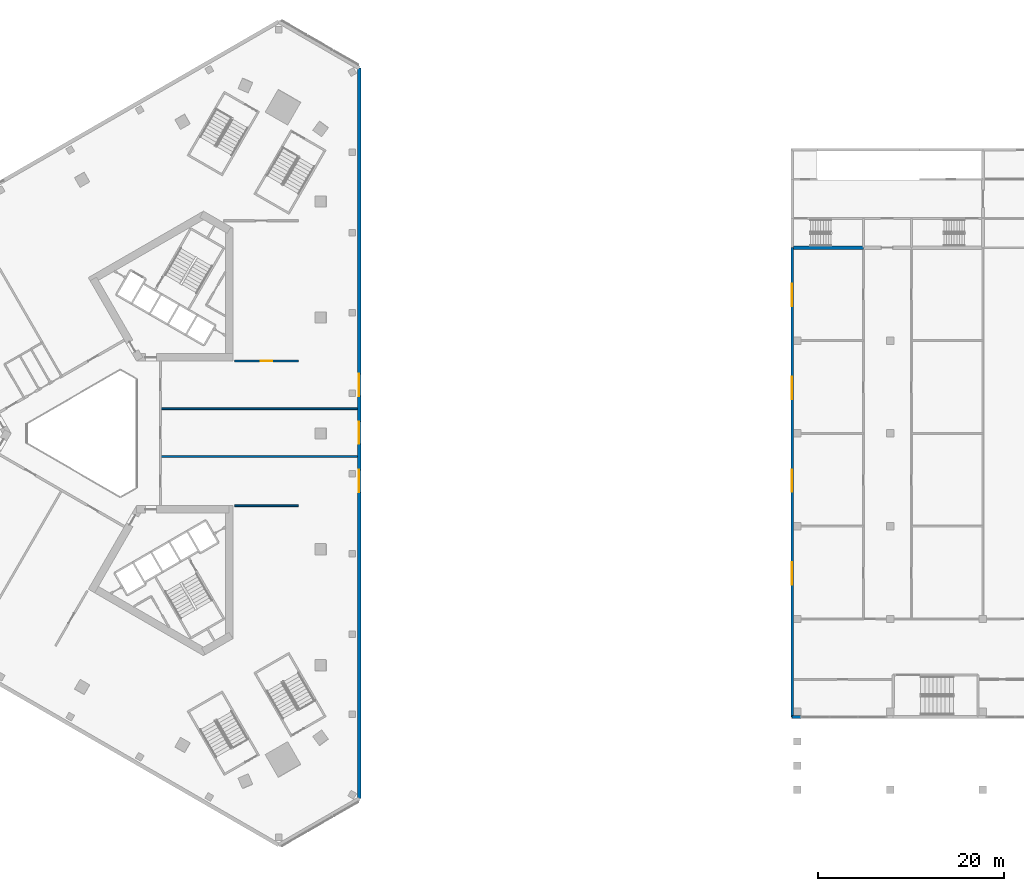
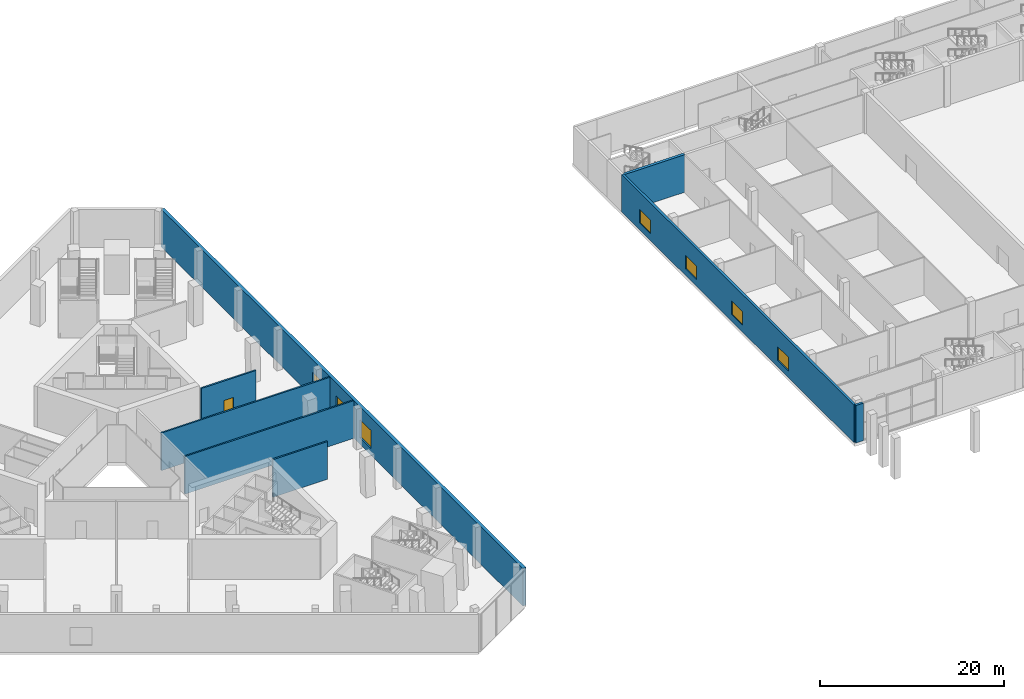
# One storey, part 11 of 35: 8 walls, 7 windows, 1 door, 8 openings.
"""IFC4 building model written with IfcOpenShell, lengths in metres."""

from ifc_helpers import new_model, si_unit, direction, frame, frame_2d, origin, place, context, subcontext, project, spatial, rectangle, extrude, material, layer, layer_set, type_object, element, fill, save


model = new_model("IFC4")

# Units and contexts
model_context = context("Model", 3, precision=1e-05, world=origin(), true_north=direction((0.0, 1.0)))
body_context = subcontext(model_context, "Body", "Model", "MODEL_VIEW")
ifc_project = project(units=[si_unit("LENGTHUNIT", "METRE"), si_unit("AREAUNIT", "SQUARE_METRE"), si_unit("VOLUMEUNIT", "CUBIC_METRE"), si_unit("PLANEANGLEUNIT", "RADIAN"), si_unit("MASSUNIT", "GRAM", prefix="KILO")], contexts=[model_context])

# Site, building, storey
site_placement = place(None, origin())
site = spatial("IfcSite", under=ifc_project, at=site_placement, CompositionType="ELEMENT")
building_placement = place(site_placement, origin())
building = spatial("IfcBuilding", under=site, at=building_placement, Name="Jabali Bay Hotel Tower and Convention Centre", CompositionType="ELEMENT")
storey_placement = place(building_placement, frame((0.0, 0.0, 15.0)))
storey = spatial("IfcBuildingStorey", under=building, at=storey_placement, Name="L02", CompositionType="ELEMENT", Elevation=15.0)

# Wall
ifc_material_1 = material(Name="Concrete C60", Category="concrete")
ifc_layer_1 = layer(ifc_material_1, 0.35009765625)
ifc_layer_set_1 = layer_set([ifc_layer_1], Name="Concrete C60")
wall_type_1 = type_object("IfcWallType", Name="CC Core Wall 350", PredefinedType="SHEAR", material=ifc_layer_set_1)
wall_1_placement = place(storey_placement, frame((150.300048828125, 100.0, 0.0), z_axis=(0.0, 0.0, 1.0), x_axis=(1.0, 0.0, 0.0)))
element("IfcWall", 1, at=wall_1_placement, inside=storey, type_object=wall_type_1, Name="CC west core wall", PredefinedType="SHEAR", context=body_context, shape_type="SweptSolid", body=[
    extrude(rectangle(XDim=7.52490234375, YDim=0.35009765625, at=frame_2d((3.762451171875, 0.0))), origin(), (0.0, 0.0, 1.0), 4.989990234375),
])

# Wall, openings, windows
ifc_material_2 = material(Name="Concrete C40", Category="concrete")
ifc_layer_2 = layer(ifc_material_2, 0.300048828125)
ifc_layer_set_2 = layer_set([ifc_layer_2], Name="Concrete C40")
wall_type_2 = type_object("IfcWallType", Name="CC External Wall 300", PredefinedType="SOLIDWALL", material=ifc_layer_set_2)
wall_2_placement = place(storey_placement, frame((150.14990234375, 49.449951171875, 0.0), z_axis=(0.0, 0.0, 1.0), x_axis=(0.0, 1.0, 0.0)))
wall_2 = element("IfcWall", 2, at=wall_2_placement, inside=storey, type_object=wall_type_2, Name="CC wall 288", PredefinedType="SOLIDWALL", context=body_context, shape_type="SweptSolid", body=[
    extrude(rectangle(XDim=50.550048828125, YDim=0.300048828125, at=frame_2d((25.27490234375, 0.0))), origin(), (0.0, 0.0, 1.0), 4.989990234375),
])
opening_1_placement = place(wall_2_placement, frame((14.25, 0.0, 0.89990234375)))
opening_1 = element("IfcOpeningElement", 3, at=opening_1_placement, cuts=wall_2, Name="Opening CC-W015", PredefinedType="OPENING", context=body_context, shape_type="SweptSolid", body=[
    extrude(rectangle(XDim=2.39990234375, YDim=1.800048828125, at=frame_2d((1.199951171875, 0.89990234375))), frame((0.0, 0.16064453125, 0.0), z_axis=(0.0, -1.0, 0.0), x_axis=(1.0, 0.0, 0.0)), (0.0, 0.0, 1.0), 0.321044921875),
])
opening_2_placement = place(wall_2_placement, frame((24.25, 0.0, 0.89990234375)))
opening_2 = element("IfcOpeningElement", 4, at=opening_2_placement, cuts=wall_2, Name="Opening CC-W016", PredefinedType="OPENING", context=body_context, shape_type="SweptSolid", body=[
    extrude(rectangle(XDim=2.39990234375, YDim=1.800048828125, at=frame_2d((1.199951171875, 0.89990234375))), frame((0.0, 0.16064453125, 0.0), z_axis=(0.0, -1.0, 0.0), x_axis=(1.0, 0.0, 0.0)), (0.0, 0.0, 1.0), 0.321044921875),
])
opening_3_placement = place(wall_2_placement, frame((34.25, 0.0, 0.89990234375)))
opening_3 = element("IfcOpeningElement", 5, at=opening_3_placement, cuts=wall_2, Name="Opening CC-W017", PredefinedType="OPENING", context=body_context, shape_type="SweptSolid", body=[
    extrude(rectangle(XDim=2.39990234375, YDim=1.800048828125, at=frame_2d((1.199951171875, 0.89990234375))), frame((0.0, 0.16064453125, 0.0), z_axis=(0.0, -1.0, 0.0), x_axis=(1.0, 0.0, 0.0)), (0.0, 0.0, 1.0), 0.321044921875),
])
opening_4_placement = place(wall_2_placement, frame((44.25, 0.0, 0.89990234375)))
opening_4 = element("IfcOpeningElement", 6, at=opening_4_placement, cuts=wall_2, Name="Opening CC-W018", PredefinedType="OPENING", context=body_context, shape_type="SweptSolid", body=[
    extrude(rectangle(XDim=2.39990234375, YDim=1.800048828125, at=frame_2d((1.199951171875, 0.89990234375))), frame((0.0, 0.16064453125, 0.0), z_axis=(0.0, -1.0, 0.0), x_axis=(1.0, 0.0, 0.0)), (0.0, 0.0, 1.0), 0.321044921875),
])
ifc_material_3 = material(Name="Aluminium 6063-T5 and glass", Category="aluminium")
window_type_1 = type_object("IfcWindowType", Name="CC Window 2400x1800", PartitioningType="DOUBLE_PANEL_VERTICAL", PredefinedType="WINDOW", material=ifc_material_3)
window_1_placement = place(opening_1_placement, origin())
window_1 = element("IfcWindow", 7, at=window_1_placement, inside=storey, type_object=window_type_1, Name="CC window CC-W015", OverallHeight=1.800048828125, OverallWidth=2.39990234375, PartitioningType="DOUBLE_PANEL_VERTICAL", PredefinedType="WINDOW", context=body_context, shape_type="SweptSolid", body=[
    extrude(rectangle(XDim=2.39990234375, YDim=1.800048828125, at=frame_2d((1.199951171875, 0.89990234375))), frame((0.0, 0.030029296875, 0.0), z_axis=(0.0, -1.0, 0.0), x_axis=(1.0, 0.0, 0.0)), (0.0, 0.0, 1.0), 0.06005859375),
])
fill(opening_1, window_1)
window_2_placement = place(opening_2_placement, origin())
window_2 = element("IfcWindow", 8, at=window_2_placement, inside=storey, type_object=window_type_1, Name="CC window CC-W016", OverallHeight=1.800048828125, OverallWidth=2.39990234375, PartitioningType="DOUBLE_PANEL_VERTICAL", PredefinedType="WINDOW", context=body_context, shape_type="SweptSolid", body=[
    extrude(rectangle(XDim=2.39990234375, YDim=1.800048828125, at=frame_2d((1.199951171875, 0.89990234375))), frame((0.0, 0.030029296875, 0.0), z_axis=(0.0, -1.0, 0.0), x_axis=(1.0, 0.0, 0.0)), (0.0, 0.0, 1.0), 0.06005859375),
])
fill(opening_2, window_2)
window_3_placement = place(opening_3_placement, origin())
window_3 = element("IfcWindow", 9, at=window_3_placement, inside=storey, type_object=window_type_1, Name="CC window CC-W017", OverallHeight=1.800048828125, OverallWidth=2.39990234375, PartitioningType="DOUBLE_PANEL_VERTICAL", PredefinedType="WINDOW", context=body_context, shape_type="SweptSolid", body=[
    extrude(rectangle(XDim=2.39990234375, YDim=1.800048828125, at=frame_2d((1.199951171875, 0.89990234375))), frame((0.0, 0.030029296875, 0.0), z_axis=(0.0, -1.0, 0.0), x_axis=(1.0, 0.0, 0.0)), (0.0, 0.0, 1.0), 0.06005859375),
])
fill(opening_3, window_3)
window_4_placement = place(opening_4_placement, origin())
window_4 = element("IfcWindow", 10, at=window_4_placement, inside=storey, type_object=window_type_1, Name="CC window CC-W018", OverallHeight=1.800048828125, OverallWidth=2.39990234375, PartitioningType="DOUBLE_PANEL_VERTICAL", PredefinedType="WINDOW", context=body_context, shape_type="SweptSolid", body=[
    extrude(rectangle(XDim=2.39990234375, YDim=1.800048828125, at=frame_2d((1.199951171875, 0.89990234375))), frame((0.0, 0.030029296875, 0.0), z_axis=(0.0, -1.0, 0.0), x_axis=(1.0, 0.0, 0.0)), (0.0, 0.0, 1.0), 0.06005859375),
])
fill(opening_4, window_4)

# Walls
wall_3_placement = place(storey_placement, frame((150.14990234375, 49.449951171875, 0.0), z_axis=(0.0, 0.0, 1.0), x_axis=(1.0, 0.0, 0.0)))
element("IfcWall", 11, at=wall_3_placement, inside=storey, type_object=wall_type_2, Name="CC wall 291", PredefinedType="SOLIDWALL", context=body_context, shape_type="SweptSolid", body=[
    extrude(rectangle(XDim=0.9501953125, YDim=0.300048828125, at=frame_2d((0.47509765625, 0.0))), origin(), (0.0, 0.0, 1.0), 4.989990234375),
])
ifc_material_4 = material(Name="Plasterboard on steel stud", Category="steel")
ifc_layer_3 = layer(ifc_material_4, 0.199951171875)
ifc_layer_set_3 = layer_set([ifc_layer_3], Name="Plasterboard on steel stud")
wall_type_3 = type_object("IfcWallType", Name="Partition 200 party", PredefinedType="PARTITIONING", material=ifc_layer_set_3)
wall_4_placement = place(storey_placement, frame((103.301025390625, 77.505859375, 0.0), z_axis=(0.0, 0.0, 1.0), x_axis=(-1.0, 0.0, 0.0)))
element("IfcWall", 12, at=wall_4_placement, inside=storey, type_object=wall_type_3, Name="Partition P01 L02 001", PredefinedType="PARTITIONING", context=body_context, shape_type="SweptSolid", body=[
    extrude(rectangle(XDim=21.200927734375, YDim=0.199951171875, at=frame_2d((10.6005859375, 0.0))), origin(), (0.0, 0.0, 1.0), 5.0),
])
wall_5_placement = place(storey_placement, frame((90.0791015625, 72.205810546875, 0.0), z_axis=(0.0, 0.0, 1.0), x_axis=(1.0, 0.0, 0.0)))
element("IfcWall", 13, at=wall_5_placement, inside=storey, type_object=wall_type_3, Name="Partition P01 L02 002", PredefinedType="PARTITIONING", context=body_context, shape_type="SweptSolid", body=[
    extrude(rectangle(XDim=6.873779296875, YDim=0.199951171875, at=frame_2d((3.43701171875, 0.0))), origin(), (0.0, 0.0, 1.0), 5.0),
])
wall_6_placement = place(storey_placement, frame((103.301025390625, 82.650146484375, 0.0), z_axis=(0.0, 0.0, 1.0), x_axis=(-1.0, 0.0, 0.0)))
element("IfcWall", 14, at=wall_6_placement, inside=storey, type_object=wall_type_3, Name="Partition P01 L02 003", PredefinedType="PARTITIONING", context=body_context, shape_type="SweptSolid", body=[
    extrude(rectangle(XDim=21.200927734375, YDim=0.199951171875, at=frame_2d((10.6005859375, 0.0))), origin(), (0.0, 0.0, 1.0), 5.0),
])

# Wall, opening, door
wall_7_placement = place(storey_placement, frame((96.952880859375, 87.794189453125, 0.0), z_axis=(0.0, 0.0, 1.0), x_axis=(-1.0, 0.0, 0.0)))
wall_7 = element("IfcWall", 15, at=wall_7_placement, inside=storey, type_object=wall_type_3, Name="Partition P01 L02 004", PredefinedType="PARTITIONING", context=body_context, shape_type="SweptSolid", body=[
    extrude(rectangle(XDim=6.873779296875, YDim=0.199951171875, at=frame_2d((3.43701171875, 0.0))), origin(), (0.0, 0.0, 1.0), 5.0),
])
opening_5_placement = place(wall_7_placement, frame((2.8369140625, 0.0, 0.0)))
opening_5 = element("IfcOpeningElement", 16, at=opening_5_placement, cuts=wall_7, Name="Opening 0212", PredefinedType="OPENING", context=body_context, shape_type="SweptSolid", body=[
    extrude(rectangle(XDim=1.199951171875, YDim=2.39990234375, at=frame_2d((0.60009765625, 1.199951171875))), frame((0.0, 0.1103515625, 0.0), z_axis=(0.0, -1.0, 0.0), x_axis=(1.0, 0.0, 0.0)), (0.0, 0.0, 1.0), 0.220947265625),
])
ifc_material_5 = material(Name="Timber", Category="wood")
door_type = type_object("IfcDoorType", Name="Public room door 1200 x 2400", OperationType="NOTDEFINED", PredefinedType="NOTDEFINED", material=ifc_material_5)
door_placement = place(opening_5_placement, origin())
door = element("IfcDoor", 17, at=door_placement, inside=storey, type_object=door_type, Name="Door 0212", OperationType="SINGLE_SWING_RIGHT", OverallHeight=2.39990234375, OverallWidth=1.199951171875, PredefinedType="NOTDEFINED", context=body_context, shape_type="SweptSolid", body=[
    extrude(rectangle(XDim=1.199951171875, YDim=2.39990234375, at=frame_2d((0.60009765625, 1.199951171875))), frame((0.0, 0.02490234375, 0.0), z_axis=(0.0, -1.0, 0.0), x_axis=(1.0, 0.0, 0.0)), (0.0, 0.0, 1.0), 0.050048828125),
])
fill(opening_5, door)

# Wall, openings, windows
ifc_layer_4 = layer(ifc_material_2, 0.39990234375)
ifc_layer_set_4 = layer_set([ifc_layer_4], Name="Concrete C40")
wall_type_4 = type_object("IfcWallType", Name="Podium external wall 400", PredefinedType="SOLIDWALL", material=ifc_layer_set_4)
wall_8_placement = place(storey_placement, frame((103.5, 119.363525390625, 0.0), z_axis=(0.0, 0.0, 1.0), x_axis=(0.0, -1.0, 0.0)))
wall_8 = element("IfcWall", 18, at=wall_8_placement, inside=storey, type_object=wall_type_4, Name="External wall east face L02", PredefinedType="SOLIDWALL", context=body_context, shape_type="SweptSolid", body=[
    extrude(rectangle(XDim=78.72705078125, YDim=0.39990234375, at=frame_2d((39.363525390625, 0.0))), origin(), (0.0, 0.0, 1.0), 5.0),
])
opening_6_placement = place(wall_8_placement, frame((43.3076171875, 0.0, 0.89990234375)))
opening_6 = element("IfcOpeningElement", 19, at=opening_6_placement, cuts=wall_8, Name="Opening W3", PredefinedType="OPENING", context=body_context, shape_type="SweptSolid", body=[
    extrude(rectangle(XDim=2.39990234375, YDim=2.39990234375, at=frame_2d((1.199951171875, 1.199951171875))), frame((0.0, 0.21044921875, 0.0), z_axis=(0.0, -1.0, 0.0), x_axis=(1.0, 0.0, 0.0)), (0.0, 0.0, 1.0), 0.4208984375),
])
opening_7_placement = place(wall_8_placement, frame((38.08544921875, 0.0, 0.89990234375)))
opening_7 = element("IfcOpeningElement", 20, at=opening_7_placement, cuts=wall_8, Name="Opening W3", PredefinedType="OPENING", context=body_context, shape_type="SweptSolid", body=[
    extrude(rectangle(XDim=2.39990234375, YDim=2.39990234375, at=frame_2d((1.199951171875, 1.199951171875))), frame((0.0, 0.21044921875, 0.0), z_axis=(0.0, -1.0, 0.0), x_axis=(1.0, 0.0, 0.0)), (0.0, 0.0, 1.0), 0.4208984375),
])
opening_8_placement = place(wall_8_placement, frame((32.94140625, 0.0, 0.89990234375)))
opening_8 = element("IfcOpeningElement", 21, at=opening_8_placement, cuts=wall_8, Name="Opening W3", PredefinedType="OPENING", context=body_context, shape_type="SweptSolid", body=[
    extrude(rectangle(XDim=2.39990234375, YDim=2.39990234375, at=frame_2d((1.199951171875, 1.199951171875))), frame((0.0, 0.21044921875, 0.0), z_axis=(0.0, -1.0, 0.0), x_axis=(1.0, 0.0, 0.0)), (0.0, 0.0, 1.0), 0.4208984375),
])
ifc_material_6 = material(Name="Glass", Category="glass")
window_type_2 = type_object("IfcWindowType", Name="Podium window 2400 x 2400", PartitioningType="SINGLE_PANEL", PredefinedType="WINDOW", material=ifc_material_6)
window_5_placement = place(opening_6_placement, origin())
window_5 = element("IfcWindow", 22, at=window_5_placement, inside=storey, type_object=window_type_2, Name="Window", OverallHeight=2.39990234375, OverallWidth=2.39990234375, PartitioningType="SINGLE_PANEL", PredefinedType="WINDOW", context=body_context, shape_type="SweptSolid", body=[
    extrude(rectangle(XDim=2.39990234375, YDim=2.39990234375, at=frame_2d((1.199951171875, 1.199951171875))), frame((0.0, 0.030029296875, 0.0), z_axis=(0.0, -1.0, 0.0), x_axis=(1.0, 0.0, 0.0)), (0.0, 0.0, 1.0), 0.06005859375),
])
fill(opening_6, window_5)
window_6_placement = place(opening_7_placement, origin())
window_6 = element("IfcWindow", 23, at=window_6_placement, inside=storey, type_object=window_type_2, Name="Window", OverallHeight=2.39990234375, OverallWidth=2.39990234375, PartitioningType="SINGLE_PANEL", PredefinedType="WINDOW", context=body_context, shape_type="SweptSolid", body=[
    extrude(rectangle(XDim=2.39990234375, YDim=2.39990234375, at=frame_2d((1.199951171875, 1.199951171875))), frame((0.0, 0.030029296875, 0.0), z_axis=(0.0, -1.0, 0.0), x_axis=(1.0, 0.0, 0.0)), (0.0, 0.0, 1.0), 0.06005859375),
])
fill(opening_7, window_6)
window_7_placement = place(opening_8_placement, origin())
window_7 = element("IfcWindow", 24, at=window_7_placement, inside=storey, type_object=window_type_2, Name="Window", OverallHeight=2.39990234375, OverallWidth=2.39990234375, PartitioningType="SINGLE_PANEL", PredefinedType="WINDOW", context=body_context, shape_type="SweptSolid", body=[
    extrude(rectangle(XDim=2.39990234375, YDim=2.39990234375, at=frame_2d((1.199951171875, 1.199951171875))), frame((0.0, 0.030029296875, 0.0), z_axis=(0.0, -1.0, 0.0), x_axis=(1.0, 0.0, 0.0)), (0.0, 0.0, 1.0), 0.06005859375),
])
fill(opening_8, window_7)

save(model, "model.ifc")
